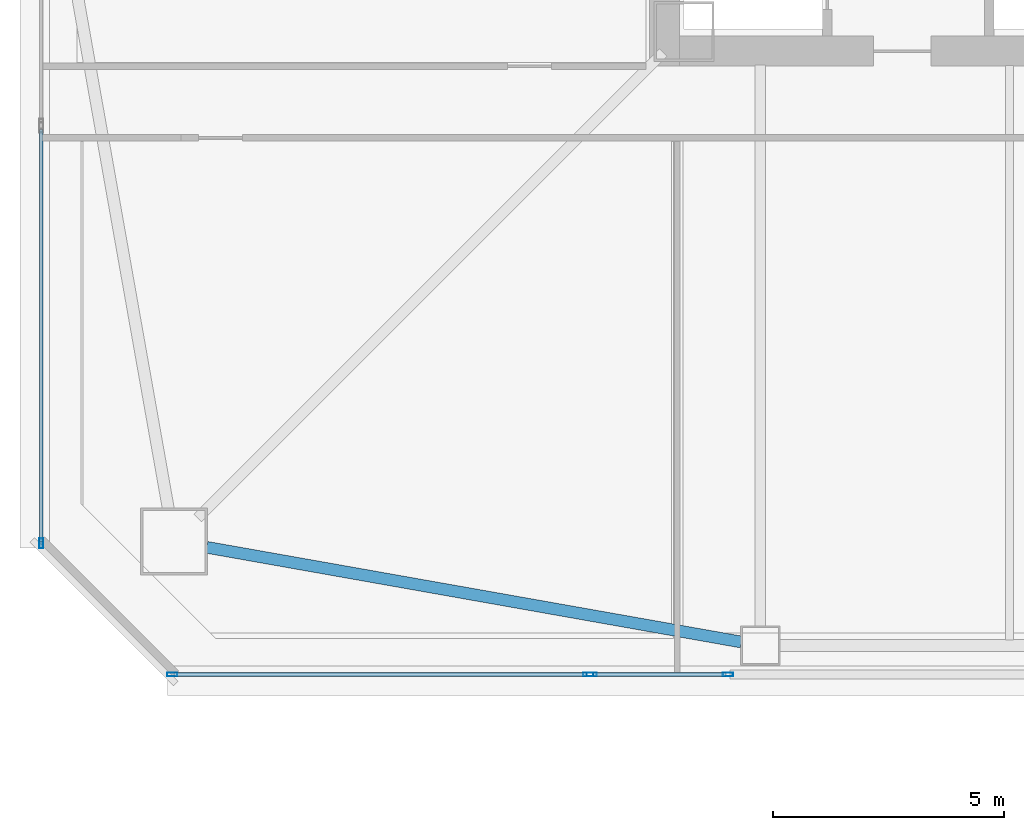
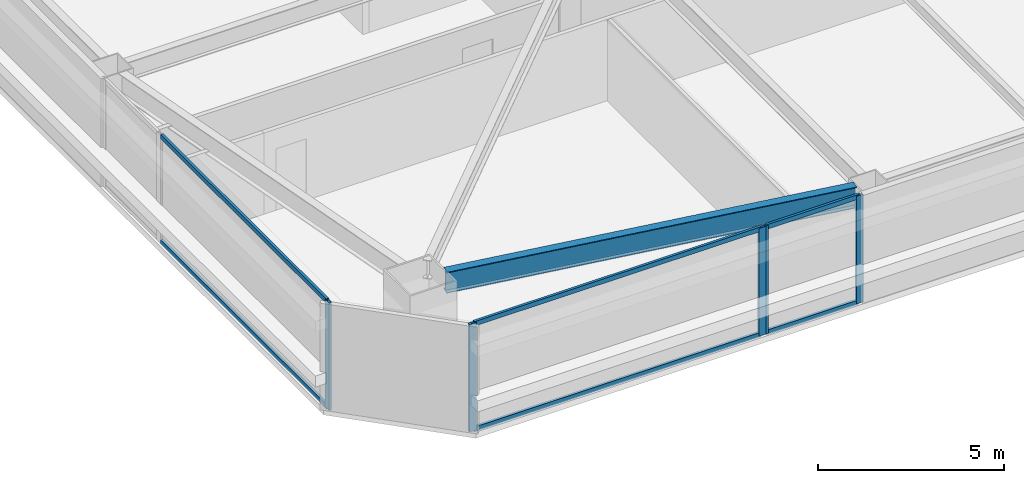
# One storey, part 3 of 46: 11 members, 1 beam, 3 elements without a shape of their own.
"""IFC4 building model written with IfcOpenShell, lengths in metres."""

import ifcopenshell
import ifcopenshell.guid

model = None  # the IFC model being written
_history = None  # IfcOwnerHistory: only IFC2X3 demands one
_inside = {}  # id of a spatial element -> (the spatial element, [elements in it])
_under = {}  # id of a project, library or spatial element -> (it, [spatial elements below it])
_declared = {}  # id of a project -> (the project, [libraries it declares])
_typed = {}  # id of a type object -> (the type object, [elements of that type])
_made_of = {}  # id of a material, layer set ... -> (it, [elements and type objects made of it])


def new_model(schema):
    """Start an empty IFC model of exactly this schema.

    Asked for "IFC4X3", IfcOpenShell would pick the latest addendum, in which some entities
    have other attributes; the version numbers below select the first issue.
    IFC2X3 requires an IfcOwnerHistory on every rooted entity: one is made here for all.
    """
    global model, _history
    if schema == "IFC4X3":
        model = ifcopenshell.file(schema_version=(4, 3, 0, 0))
    else:
        model = ifcopenshell.file(schema=schema)
    _inside.clear()
    _under.clear()
    _declared.clear()
    _typed.clear()
    _made_of.clear()
    _history = None
    if model.schema == "IFC2X3":
        org = make("IfcOrganization", Name="unknown")
        user = make(
            "IfcPersonAndOrganization",
            ThePerson=make("IfcPerson", FamilyName="unknown"),
            TheOrganization=org,
        )
        app = make(
            "IfcApplication",
            ApplicationDeveloper=org,
            Version="unknown",
            ApplicationFullName="unknown",
            ApplicationIdentifier="unknown",
        )
        _history = make(
            "IfcOwnerHistory",
            OwningUser=user,
            OwningApplication=app,
            ChangeAction="ADDED",
            CreationDate=0,
        )
    return model


def make(cls, **values):
    """One entity of the class cls with the attributes given. An attribute that is None is left unset."""
    return model.create_entity(
        cls, **{name: value for name, value in values.items() if value is not None}
    )


def rooted(cls, **values):
    """An entity with a GlobalId (a new one), such as an element, a storey or a relation."""
    return make(cls, GlobalId=ifcopenshell.guid.new(), OwnerHistory=_history, **values)


def si_unit(unit_type, name, prefix=None):
    """IfcSIUnit, for example si_unit("LENGTHUNIT", "METRE", prefix="MILLI")."""
    return make("IfcSIUnit", UnitType=unit_type, Prefix=prefix, Name=name)


def assignment(units):
    """IfcUnitAssignment: the units of a project."""
    return None if units is None else make("IfcUnitAssignment", Units=units)


def point(xyz):
    """IfcCartesianPoint."""
    return None if xyz is None else make("IfcCartesianPoint", Coordinates=xyz)


def direction(xyz):
    """IfcDirection."""
    return None if xyz is None else make("IfcDirection", DirectionRatios=xyz)


def frame(location, z_axis=None, x_axis=None):
    """IfcAxis2Placement3D, a coordinate frame: its origin and axes. An axis left out is left unset."""
    return make(
        "IfcAxis2Placement3D",
        Location=point(location),
        Axis=direction(z_axis),
        RefDirection=direction(x_axis),
    )


def frame_2d(location, x_axis=None):
    """IfcAxis2Placement2D, a coordinate frame in the plane: its origin and x axis."""
    return make(
        "IfcAxis2Placement2D", Location=point(location), RefDirection=direction(x_axis)
    )


def origin():
    """The frame at (0, 0, 0) with its axes left unset."""
    return frame((0.0, 0.0, 0.0))


def origin_2d():
    """The frame at (0, 0) in the plane with its x axis left unset."""
    return frame_2d((0.0, 0.0))


def place(relative_to, where):
    """IfcLocalPlacement: puts the frame where relative to a parent placement (None: the world)."""
    return make(
        "IfcLocalPlacement", PlacementRelTo=relative_to, RelativePlacement=where
    )


def context(
    kind, dimensions, precision=None, world=None, true_north=None, identifier=None
):
    """IfcGeometricRepresentationContext, for example the 3D "Model" context."""
    return make(
        "IfcGeometricRepresentationContext",
        ContextIdentifier=identifier,
        ContextType=kind,
        CoordinateSpaceDimension=dimensions,
        Precision=precision,
        WorldCoordinateSystem=world,
        TrueNorth=true_north,
    )


def subcontext(parent, identifier, kind, view, scale=None):
    """IfcGeometricRepresentationSubContext, for example "Body" below "Model"."""
    return make(
        "IfcGeometricRepresentationSubContext",
        ContextIdentifier=identifier,
        ContextType=kind,
        ParentContext=parent,
        TargetScale=scale,
        TargetView=view,
    )


def project(units=None, contexts=None):
    """IfcProject with its units and contexts."""
    return rooted(
        "IfcProject",
        Name="project",
        RepresentationContexts=contexts,
        UnitsInContext=assignment(units),
    )


def spatial(cls, under=None, at=None, **own):
    """A site, building, storey or space (cls), placed at a placement, below another one or the project."""
    s = rooted(cls, ObjectPlacement=at, **own)
    if under is not None:
        _under.setdefault(under.id(), (under, []))[1].append(s)
    return s


def profile(cls, at=None, kind="AREA", **sizes):
    """A parametric profile (cls). Its sizes go by their IFC names, for example OverallWidth=200.0."""
    return make(cls, ProfileType=kind, Position=at, **sizes)


def hollow_rectangle(**sizes):
    """IfcRectangleHollowProfileDef."""
    return profile("IfcRectangleHollowProfileDef", **sizes)


def i_section(**sizes):
    """IfcIShapeProfileDef."""
    return profile("IfcIShapeProfileDef", **sizes)


def extrude(swept, where, along, depth):
    """IfcExtrudedAreaSolid: the profile swept, set in the frame where, extruded along a direction by depth."""
    return make(
        "IfcExtrudedAreaSolid",
        SweptArea=swept,
        Position=where,
        ExtrudedDirection=direction(along),
        Depth=depth,
    )


def shape(context_of_items, identifier, shape_type, items):
    """IfcShapeRepresentation: the items that make up one representation, for example the "Body"."""
    return make(
        "IfcShapeRepresentation",
        ContextOfItems=context_of_items,
        RepresentationIdentifier=identifier,
        RepresentationType=shape_type,
        Items=items,
    )


def material(Name=None, Category=None):
    """IfcMaterial."""
    return make("IfcMaterial", Name=Name, Category=Category)


def material_profile(
    of_material, cross_section, Name=None, Category=None, Priority=None
):
    """IfcMaterialProfile: a cross section and its material."""
    return make(
        "IfcMaterialProfile",
        Name=Name,
        Material=of_material,
        Profile=cross_section,
        Priority=Priority,
        Category=Category,
    )


def profile_set(profiles, Name=None, composite=None):
    """IfcMaterialProfileSet."""
    return make(
        "IfcMaterialProfileSet",
        Name=Name,
        MaterialProfiles=profiles,
        CompositeProfile=composite,
    )


def made_of(thing, what):
    """Note that an element or type object is made of a material, layer set ...; save() writes the relation."""
    if what is not None:
        _made_of.setdefault(what.id(), (what, []))[1].append(thing)
    return thing


def type_object(cls, material=None, **own):
    """A type object (cls), such as IfcWallType, which elements share."""
    return made_of(rooted(cls, **own), material)


def element(
    cls,
    number,
    at=None,
    inside=None,
    cuts=None,
    type_object=None,
    material=None,
    context=None,
    identifier="Body",
    shape_type=None,
    held_by="IfcProductDefinitionShape",
    body=None,
    shapes=None,
    **own,
):
    """One element of the class cls, such as IfcWall. Its Tag is "e" and its number.

    at: its placement. inside: the storey or other place that contains it. cuts: it is an
    opening in that element (IfcRelVoidsElement). A single representation is given by context,
    identifier, shape_type and body (its items); several are given by shapes. held_by: the class
    of the entity that holds the representations. save() writes the other relations.
    """
    e = rooted(cls, Tag="e%d" % number, ObjectPlacement=at, **own)
    if body is not None:
        shapes = [shape(context, identifier, shape_type, body)]
    if shapes is not None:
        e.Representation = make(held_by, Representations=shapes)
    if inside is not None:
        _inside.setdefault(inside.id(), (inside, []))[1].append(e)
    if cuts is not None:
        rooted(
            "IfcRelVoidsElement", RelatingBuildingElement=cuts, RelatedOpeningElement=e
        )
    if type_object is not None:
        _typed.setdefault(type_object.id(), (type_object, []))[1].append(e)
    return made_of(e, material)


def aggregate(whole, parts):
    """IfcRelAggregates: a whole, such as a stair, and the parts it consists of."""
    return rooted("IfcRelAggregates", RelatingObject=whole, RelatedObjects=parts)


def save(model, path):
    """Write the relations noted so far, then the file.

    IfcRelAggregates (storeys below a building ...), IfcRelContainedInSpatialStructure (elements
    in a storey), IfcRelDefinesByType, IfcRelAssociatesMaterial and IfcRelDeclares: one each for
    every whole, place, type object, material and project.
    """
    for whole, parts in _under.values():
        aggregate(whole, parts)
    for where, things in _inside.values():
        rooted(
            "IfcRelContainedInSpatialStructure",
            RelatedElements=things,
            RelatingStructure=where,
        )
    for kind, things in _typed.values():
        rooted("IfcRelDefinesByType", RelatedObjects=things, RelatingType=kind)
    for what, things in _made_of.values():
        rooted("IfcRelAssociatesMaterial", RelatedObjects=things, RelatingMaterial=what)
    for by, libraries in _declared.values():
        rooted("IfcRelDeclares", RelatingContext=by, RelatedDefinitions=libraries)
    model.write(path)


model = new_model("IFC4")

# Units and contexts
model_context = context("Model", 3, precision=1e-05, world=origin(), true_north=direction((0.0, 1.0)))
body_context = subcontext(model_context, "Body", "Model", "MODEL_VIEW")
ifc_project = project(units=[si_unit("LENGTHUNIT", "METRE"), si_unit("AREAUNIT", "SQUARE_METRE"), si_unit("VOLUMEUNIT", "CUBIC_METRE"), si_unit("PLANEANGLEUNIT", "RADIAN"), si_unit("MASSUNIT", "GRAM", prefix="KILO")], contexts=[model_context])

# Site, building, storey
site_placement = place(None, origin())
site = spatial("IfcSite", under=ifc_project, at=site_placement, CompositionType="ELEMENT")
building_placement = place(site_placement, origin())
building = spatial("IfcBuilding", under=site, at=building_placement, Name="Tashvorn Skyway Center", CompositionType="ELEMENT")
storey_placement = place(building_placement, frame((0.0, 0.0, 99.14990234375)))
storey = spatial("IfcBuildingStorey", under=building, at=storey_placement, Name="L26", CompositionType="ELEMENT", Elevation=99.14990234375)

# Beam
ifc_material_1 = material(Name="Steel ASTM A992 Grade 50", Category="steel")
ifc_material_profile_1 = material_profile(ifc_material_1, i_section(OverallWidth=0.256103515625, OverallDepth=0.693115234375, WebThickness=0.014404296875, FlangeThickness=0.023681640625, at=origin_2d()), Name="W27X114")
ifc_profile_set_1 = profile_set([ifc_material_profile_1], Name="Steel ASTM A992 Grade 50")
beam_type = type_object("IfcBeamType", Name="BM-SPANDREL-W27X114", PredefinedType="SPANDREL", material=ifc_profile_set_1)
beam_placement = place(storey_placement, frame((24.60888671875, 13.7744140625, 3.003662109375), z_axis=(0.98466816531, -0.174437966698, 0.0), x_axis=(0.174437966698, 0.98466816531, 0.0)))
element("IfcBeam", 1, at=beam_placement, inside=storey, type_object=beam_type, Name="Tower 1 L26 Spandrel Beam 01", PredefinedType="SPANDREL", context=body_context, shape_type="SweptSolid", body=[
    extrude(i_section(OverallWidth=0.256103515625, OverallDepth=0.693115234375, WebThickness=0.014404296875, FlangeThickness=0.023681640625, at=origin_2d()), origin(), (0.0, 0.0, 1.0), 11.7578125),
])

# Curtain wall, members
ifc_material_2 = material(Name="Thermally broken bronze-anodized aluminium 6063-T6", Category="aluminium")
curtain_wall_type = type_object("IfcCurtainWallType", Name="CW-CW-Z2", PredefinedType="NOTDEFINED", material=ifc_material_2)
curtain_wall_1_placement = place(storey_placement, origin())
curtain_wall_1 = element("IfcCurtainWall", 2, at=curtain_wall_1_placement, inside=storey, type_object=curtain_wall_type, Name="Tower 1 L26 South Unitised Curtain Wall Glazing Group 3", PredefinedType="NOTDEFINED")
ifc_material_profile_2 = material_profile(ifc_material_2, hollow_rectangle(XDim=0.080078125, YDim=0.219970703125, WallThickness=0.0048828125, at=origin_2d()), Name="ALU-MULL-80x220")
ifc_profile_set_2 = profile_set([ifc_material_profile_2], Name="Thermally broken bronze-anodized aluminium 6063-T6")
member_type_1 = type_object("IfcMemberType", Name="CWM-CW-Z2", PredefinedType="MULLION", material=ifc_profile_set_2)
member_1_placement = place(storey_placement, frame((35.89990234375, 11.02001953125, 0.0), z_axis=(0.0, 0.0, 1.0), x_axis=(0.0, -1.0, 0.0)))
member_1 = element("IfcMember", 3, at=member_1_placement, type_object=member_type_1, Name="CW-Z2 mullion 1", PredefinedType="MULLION", context=body_context, shape_type="SweptSolid", body=[
    extrude(hollow_rectangle(XDim=0.080078125, YDim=0.219970703125, WallThickness=0.0048828125, at=origin_2d()), origin(), (0.0, 0.0, 1.0), 3.550048828125),
])
member_2_placement = place(storey_placement, frame((32.949951171875, 11.02001953125, 0.0), z_axis=(0.0, 0.0, 1.0), x_axis=(0.0, -1.0, 0.0)))
member_2 = element("IfcMember", 4, at=member_2_placement, type_object=member_type_1, Name="CW-Z2 mullion 2", PredefinedType="MULLION", context=body_context, shape_type="SweptSolid", body=[
    extrude(hollow_rectangle(XDim=0.080078125, YDim=0.219970703125, WallThickness=0.0048828125, at=origin_2d()), origin(), (0.0, 0.0, 1.0), 3.550048828125),
])

curtain_wall_2_placement = place(storey_placement, origin())
curtain_wall_2 = element("IfcCurtainWall", 5, at=curtain_wall_2_placement, inside=storey, type_object=curtain_wall_type, Name="Tower 1 L26 South Unitised Curtain Wall Glazing Group 4", PredefinedType="NOTDEFINED")
member_3_placement = place(storey_placement, frame((32.8701171875, 11.02001953125, 0.0), z_axis=(0.0, 0.0, 1.0), x_axis=(0.0, -1.0, 0.0)))
member_3 = element("IfcMember", 6, at=member_3_placement, type_object=member_type_1, Name="CW-Z2 mullion 1", PredefinedType="MULLION", context=body_context, shape_type="SweptSolid", body=[
    extrude(hollow_rectangle(XDim=0.080078125, YDim=0.219970703125, WallThickness=0.0048828125, at=origin_2d()), origin(), (0.0, 0.0, 1.0), 3.550048828125),
])
member_4_placement = place(storey_placement, frame((23.860107421875, 11.02001953125, 0.0), z_axis=(0.0, 0.0, 1.0), x_axis=(0.0, -1.0, 0.0)))
member_4 = element("IfcMember", 7, at=member_4_placement, type_object=member_type_1, Name="CW-Z2 mullion 2", PredefinedType="MULLION", context=body_context, shape_type="SweptSolid", body=[
    extrude(hollow_rectangle(XDim=0.080078125, YDim=0.219970703125, WallThickness=0.0048828125, at=origin_2d()), origin(), (0.0, 0.0, 1.0), 3.550048828125),
])

# Curtain wall, member
curtain_wall_3_placement = place(storey_placement, origin())
curtain_wall_3 = element("IfcCurtainWall", 8, at=curtain_wall_3_placement, inside=storey, type_object=curtain_wall_type, Name="Tower 1 L26 West Unitised Curtain Wall Glazing Group 1", PredefinedType="NOTDEFINED")
member_5_placement = place(storey_placement, frame((21.02001953125, 13.860107421875, 0.0), z_axis=(0.0, 0.0, 1.0), x_axis=(-1.0, 0.0, 0.0)))
member_5 = element("IfcMember", 9, at=member_5_placement, type_object=member_type_1, Name="CW-Z2 mullion 1", PredefinedType="MULLION", context=body_context, shape_type="SweptSolid", body=[
    extrude(hollow_rectangle(XDim=0.080078125, YDim=0.219970703125, WallThickness=0.0048828125, at=origin_2d()), origin(), (0.0, 0.0, 1.0), 3.550048828125),
])

# Member
ifc_material_profile_3 = material_profile(ifc_material_2, hollow_rectangle(XDim=0.080078125, YDim=0.14990234375, WallThickness=0.00439453125, at=origin_2d()), Name="ALU-TRAN-80x150")
ifc_profile_set_3 = profile_set([ifc_material_profile_3], Name="Thermally broken bronze-anodized aluminium 6063-T6")
member_type_2 = type_object("IfcMemberType", Name="CWT-CW-Z2", PredefinedType="USERDEFINED", material=ifc_profile_set_3)
member_6_placement = place(storey_placement, frame((35.860107421875, 11.02001953125, 0.0400390625), z_axis=(-1.0, 0.0, 0.0), x_axis=(0.0, -1.0, 0.0)))
member_6 = element("IfcMember", 10, at=member_6_placement, type_object=member_type_2, Name="CW-Z2 transom 1.1", ObjectType="TRANSOM", PredefinedType="USERDEFINED", context=body_context, shape_type="SweptSolid", body=[
    extrude(hollow_rectangle(XDim=0.080078125, YDim=0.14990234375, WallThickness=0.00439453125, at=origin_2d()), origin(), (0.0, 0.0, 1.0), 2.8701171875),
])

member_7_placement = place(storey_placement, frame((35.860107421875, 11.02001953125, 3.510009765625), z_axis=(-1.0, 0.0, 0.0), x_axis=(0.0, -1.0, 0.0)))
member_7 = element("IfcMember", 11, at=member_7_placement, type_object=member_type_2, Name="CW-Z2 transom 1.2", ObjectType="TRANSOM", PredefinedType="USERDEFINED", context=body_context, shape_type="SweptSolid", body=[
    extrude(hollow_rectangle(XDim=0.080078125, YDim=0.14990234375, WallThickness=0.00439453125, at=origin_2d()), origin(), (0.0, 0.0, 1.0), 2.8701171875),
])

aggregate(curtain_wall_1, [member_1, member_2, member_6, member_7])

member_8_placement = place(storey_placement, frame((32.830078125, 11.02001953125, 0.0400390625), z_axis=(-1.0, 0.0, 0.0), x_axis=(0.0, -1.0, 0.0)))
member_8 = element("IfcMember", 12, at=member_8_placement, type_object=member_type_2, Name="CW-Z2 transom 1.1", ObjectType="TRANSOM", PredefinedType="USERDEFINED", context=body_context, shape_type="SweptSolid", body=[
    extrude(hollow_rectangle(XDim=0.080078125, YDim=0.14990234375, WallThickness=0.00439453125, at=origin_2d()), origin(), (0.0, 0.0, 1.0), 8.93017578125),
])

member_9_placement = place(storey_placement, frame((32.830078125, 11.02001953125, 3.510009765625), z_axis=(-1.0, 0.0, 0.0), x_axis=(0.0, -1.0, 0.0)))
member_9 = element("IfcMember", 13, at=member_9_placement, type_object=member_type_2, Name="CW-Z2 transom 1.2", ObjectType="TRANSOM", PredefinedType="USERDEFINED", context=body_context, shape_type="SweptSolid", body=[
    extrude(hollow_rectangle(XDim=0.080078125, YDim=0.14990234375, WallThickness=0.00439453125, at=origin_2d()), origin(), (0.0, 0.0, 1.0), 8.93017578125),
])

aggregate(curtain_wall_2, [member_3, member_4, member_8, member_9])

member_10_placement = place(storey_placement, frame((21.02001953125, 13.89990234375, 0.0400390625), z_axis=(0.0, 1.0, 0.0), x_axis=(-1.0, 0.0, 0.0)))
member_10 = element("IfcMember", 14, at=member_10_placement, type_object=member_type_2, Name="CW-Z2 transom 1.1", ObjectType="TRANSOM", PredefinedType="USERDEFINED", context=body_context, shape_type="SweptSolid", body=[
    extrude(hollow_rectangle(XDim=0.080078125, YDim=0.14990234375, WallThickness=0.00439453125, at=origin_2d()), origin(), (0.0, 0.0, 1.0), 8.93017578125),
])

member_11_placement = place(storey_placement, frame((21.02001953125, 13.89990234375, 3.510009765625), z_axis=(0.0, 1.0, 0.0), x_axis=(-1.0, 0.0, 0.0)))
member_11 = element("IfcMember", 15, at=member_11_placement, type_object=member_type_2, Name="CW-Z2 transom 1.2", ObjectType="TRANSOM", PredefinedType="USERDEFINED", context=body_context, shape_type="SweptSolid", body=[
    extrude(hollow_rectangle(XDim=0.080078125, YDim=0.14990234375, WallThickness=0.00439453125, at=origin_2d()), origin(), (0.0, 0.0, 1.0), 8.93017578125),
])

aggregate(curtain_wall_3, [member_5, member_10, member_11])

save(model, "model.ifc")
